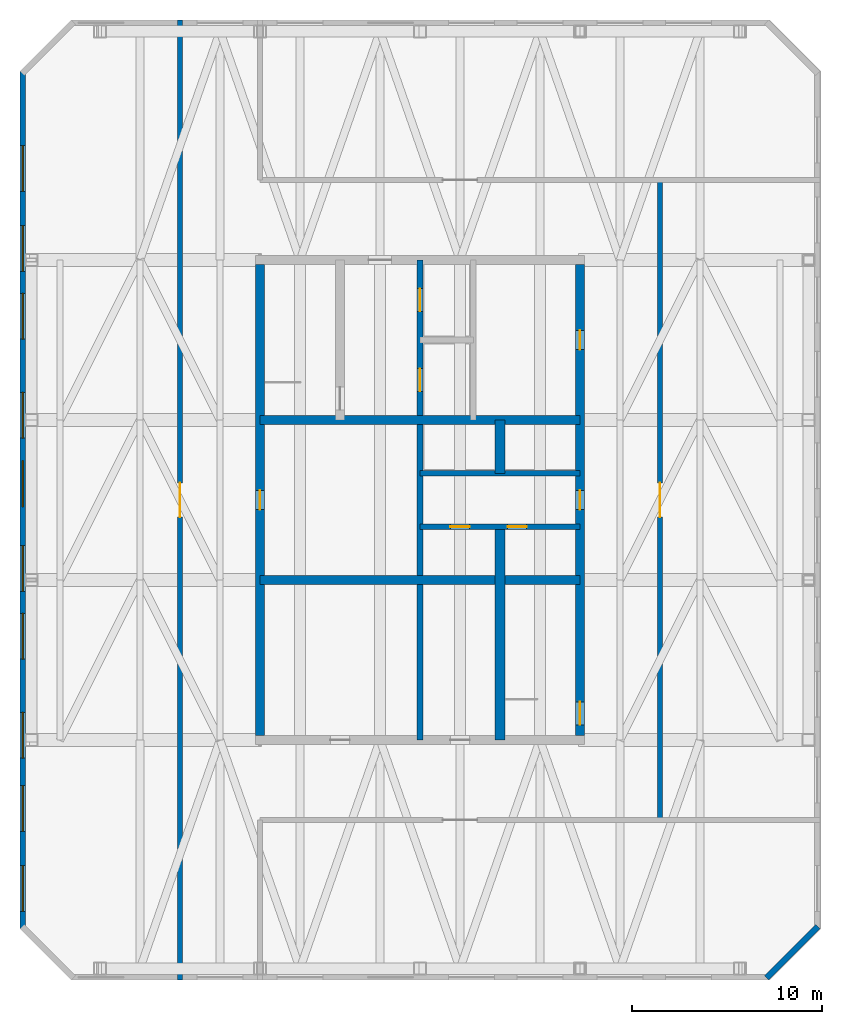
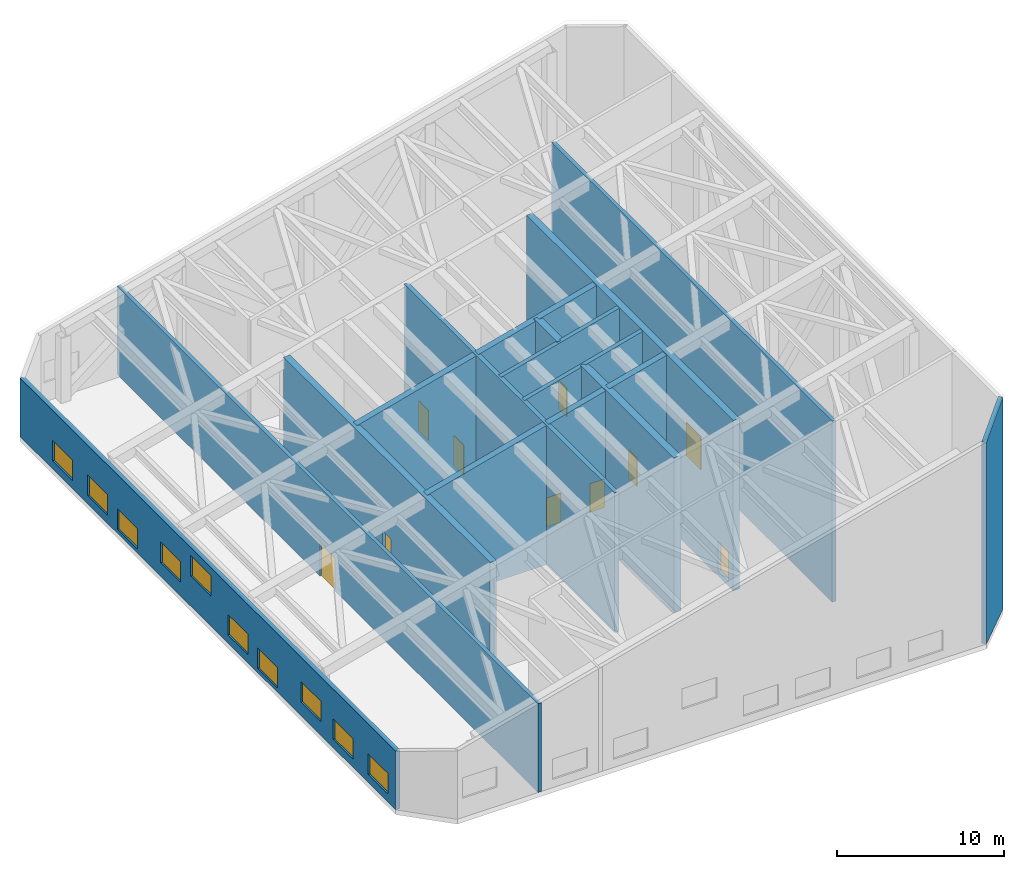
# One storey, part 3 of 5: 13 walls, 10 doors, 10 windows, 20 openings.
"""IFC4 building model written with IfcOpenShell, lengths in metres."""

import ifcopenshell
import ifcopenshell.guid

model = None  # the IFC model being written
_history = None  # IfcOwnerHistory: only IFC2X3 demands one
_inside = {}  # id of a spatial element -> (the spatial element, [elements in it])
_under = {}  # id of a project, library or spatial element -> (it, [spatial elements below it])
_declared = {}  # id of a project -> (the project, [libraries it declares])
_typed = {}  # id of a type object -> (the type object, [elements of that type])
_made_of = {}  # id of a material, layer set ... -> (it, [elements and type objects made of it])


def new_model(schema):
    """Start an empty IFC model of exactly this schema.

    Asked for "IFC4X3", IfcOpenShell would pick the latest addendum, in which some entities
    have other attributes; the version numbers below select the first issue.
    IFC2X3 requires an IfcOwnerHistory on every rooted entity: one is made here for all.
    """
    global model, _history
    if schema == "IFC4X3":
        model = ifcopenshell.file(schema_version=(4, 3, 0, 0))
    else:
        model = ifcopenshell.file(schema=schema)
    _inside.clear()
    _under.clear()
    _declared.clear()
    _typed.clear()
    _made_of.clear()
    _history = None
    if model.schema == "IFC2X3":
        org = make("IfcOrganization", Name="unknown")
        user = make(
            "IfcPersonAndOrganization",
            ThePerson=make("IfcPerson", FamilyName="unknown"),
            TheOrganization=org,
        )
        app = make(
            "IfcApplication",
            ApplicationDeveloper=org,
            Version="unknown",
            ApplicationFullName="unknown",
            ApplicationIdentifier="unknown",
        )
        _history = make(
            "IfcOwnerHistory",
            OwningUser=user,
            OwningApplication=app,
            ChangeAction="ADDED",
            CreationDate=0,
        )
    return model


def make(cls, **values):
    """One entity of the class cls with the attributes given. An attribute that is None is left unset."""
    return model.create_entity(
        cls, **{name: value for name, value in values.items() if value is not None}
    )


def rooted(cls, **values):
    """An entity with a GlobalId (a new one), such as an element, a storey or a relation."""
    return make(cls, GlobalId=ifcopenshell.guid.new(), OwnerHistory=_history, **values)


def si_unit(unit_type, name, prefix=None):
    """IfcSIUnit, for example si_unit("LENGTHUNIT", "METRE", prefix="MILLI")."""
    return make("IfcSIUnit", UnitType=unit_type, Prefix=prefix, Name=name)


def assignment(units):
    """IfcUnitAssignment: the units of a project."""
    return None if units is None else make("IfcUnitAssignment", Units=units)


def point(xyz):
    """IfcCartesianPoint."""
    return None if xyz is None else make("IfcCartesianPoint", Coordinates=xyz)


def direction(xyz):
    """IfcDirection."""
    return None if xyz is None else make("IfcDirection", DirectionRatios=xyz)


def frame(location, z_axis=None, x_axis=None):
    """IfcAxis2Placement3D, a coordinate frame: its origin and axes. An axis left out is left unset."""
    return make(
        "IfcAxis2Placement3D",
        Location=point(location),
        Axis=direction(z_axis),
        RefDirection=direction(x_axis),
    )


def frame_2d(location, x_axis=None):
    """IfcAxis2Placement2D, a coordinate frame in the plane: its origin and x axis."""
    return make(
        "IfcAxis2Placement2D", Location=point(location), RefDirection=direction(x_axis)
    )


def origin():
    """The frame at (0, 0, 0) with its axes left unset."""
    return frame((0.0, 0.0, 0.0))


def place(relative_to, where):
    """IfcLocalPlacement: puts the frame where relative to a parent placement (None: the world)."""
    return make(
        "IfcLocalPlacement", PlacementRelTo=relative_to, RelativePlacement=where
    )


def context(
    kind, dimensions, precision=None, world=None, true_north=None, identifier=None
):
    """IfcGeometricRepresentationContext, for example the 3D "Model" context."""
    return make(
        "IfcGeometricRepresentationContext",
        ContextIdentifier=identifier,
        ContextType=kind,
        CoordinateSpaceDimension=dimensions,
        Precision=precision,
        WorldCoordinateSystem=world,
        TrueNorth=true_north,
    )


def subcontext(parent, identifier, kind, view, scale=None):
    """IfcGeometricRepresentationSubContext, for example "Body" below "Model"."""
    return make(
        "IfcGeometricRepresentationSubContext",
        ContextIdentifier=identifier,
        ContextType=kind,
        ParentContext=parent,
        TargetScale=scale,
        TargetView=view,
    )


def project(units=None, contexts=None):
    """IfcProject with its units and contexts."""
    return rooted(
        "IfcProject",
        Name="project",
        RepresentationContexts=contexts,
        UnitsInContext=assignment(units),
    )


def spatial(cls, under=None, at=None, **own):
    """A site, building, storey or space (cls), placed at a placement, below another one or the project."""
    s = rooted(cls, ObjectPlacement=at, **own)
    if under is not None:
        _under.setdefault(under.id(), (under, []))[1].append(s)
    return s


def polyline(points):
    """IfcPolyline through the points."""
    return make("IfcPolyline", Points=[point(p) for p in points])


def profile(cls, at=None, kind="AREA", **sizes):
    """A parametric profile (cls). Its sizes go by their IFC names, for example OverallWidth=200.0."""
    return make(cls, ProfileType=kind, Position=at, **sizes)


def rectangle(**sizes):
    """IfcRectangleProfileDef."""
    return profile("IfcRectangleProfileDef", **sizes)


def outline(outer, holes=None, kind="AREA"):
    """IfcArbitraryClosedProfileDef: a profile drawn as a closed curve; with holes, ...WithVoids."""
    if holes is None:
        return make("IfcArbitraryClosedProfileDef", ProfileType=kind, OuterCurve=outer)
    return make(
        "IfcArbitraryProfileDefWithVoids",
        ProfileType=kind,
        OuterCurve=outer,
        InnerCurves=holes,
    )


def extrude(swept, where, along, depth):
    """IfcExtrudedAreaSolid: the profile swept, set in the frame where, extruded along a direction by depth."""
    return make(
        "IfcExtrudedAreaSolid",
        SweptArea=swept,
        Position=where,
        ExtrudedDirection=direction(along),
        Depth=depth,
    )


def shape(context_of_items, identifier, shape_type, items):
    """IfcShapeRepresentation: the items that make up one representation, for example the "Body"."""
    return make(
        "IfcShapeRepresentation",
        ContextOfItems=context_of_items,
        RepresentationIdentifier=identifier,
        RepresentationType=shape_type,
        Items=items,
    )


def material(Name=None, Category=None):
    """IfcMaterial."""
    return make("IfcMaterial", Name=Name, Category=Category)


def layer(
    of_material, thickness, ventilated=None, Name=None, Category=None, Priority=None
):
    """IfcMaterialLayer: one layer of a wall or slab, of a material (None: an air gap)."""
    return make(
        "IfcMaterialLayer",
        Material=of_material,
        LayerThickness=thickness,
        IsVentilated=ventilated,
        Name=Name,
        Category=Category,
        Priority=Priority,
    )


def layer_set(layers, Name=None):
    """IfcMaterialLayerSet."""
    return make("IfcMaterialLayerSet", MaterialLayers=layers, LayerSetName=Name)


def made_of(thing, what):
    """Note that an element or type object is made of a material, layer set ...; save() writes the relation."""
    if what is not None:
        _made_of.setdefault(what.id(), (what, []))[1].append(thing)
    return thing


def type_object(cls, material=None, **own):
    """A type object (cls), such as IfcWallType, which elements share."""
    return made_of(rooted(cls, **own), material)


def element(
    cls,
    number,
    at=None,
    inside=None,
    cuts=None,
    type_object=None,
    material=None,
    context=None,
    identifier="Body",
    shape_type=None,
    held_by="IfcProductDefinitionShape",
    body=None,
    shapes=None,
    **own,
):
    """One element of the class cls, such as IfcWall. Its Tag is "e" and its number.

    at: its placement. inside: the storey or other place that contains it. cuts: it is an
    opening in that element (IfcRelVoidsElement). A single representation is given by context,
    identifier, shape_type and body (its items); several are given by shapes. held_by: the class
    of the entity that holds the representations. save() writes the other relations.
    """
    e = rooted(cls, Tag="e%d" % number, ObjectPlacement=at, **own)
    if body is not None:
        shapes = [shape(context, identifier, shape_type, body)]
    if shapes is not None:
        e.Representation = make(held_by, Representations=shapes)
    if inside is not None:
        _inside.setdefault(inside.id(), (inside, []))[1].append(e)
    if cuts is not None:
        rooted(
            "IfcRelVoidsElement", RelatingBuildingElement=cuts, RelatedOpeningElement=e
        )
    if type_object is not None:
        _typed.setdefault(type_object.id(), (type_object, []))[1].append(e)
    return made_of(e, material)


def fill(opening, filler):
    """IfcRelFillsElement: the door or window that sits in an opening."""
    return rooted(
        "IfcRelFillsElement",
        RelatingOpeningElement=opening,
        RelatedBuildingElement=filler,
    )


def aggregate(whole, parts):
    """IfcRelAggregates: a whole, such as a stair, and the parts it consists of."""
    return rooted("IfcRelAggregates", RelatingObject=whole, RelatedObjects=parts)


def save(model, path):
    """Write the relations noted so far, then the file.

    IfcRelAggregates (storeys below a building ...), IfcRelContainedInSpatialStructure (elements
    in a storey), IfcRelDefinesByType, IfcRelAssociatesMaterial and IfcRelDeclares: one each for
    every whole, place, type object, material and project.
    """
    for whole, parts in _under.values():
        aggregate(whole, parts)
    for where, things in _inside.values():
        rooted(
            "IfcRelContainedInSpatialStructure",
            RelatedElements=things,
            RelatingStructure=where,
        )
    for kind, things in _typed.values():
        rooted("IfcRelDefinesByType", RelatedObjects=things, RelatingType=kind)
    for what, things in _made_of.values():
        rooted("IfcRelAssociatesMaterial", RelatedObjects=things, RelatingMaterial=what)
    for by, libraries in _declared.values():
        rooted("IfcRelDeclares", RelatingContext=by, RelatedDefinitions=libraries)
    model.write(path)


model = new_model("IFC4")

# Units and contexts
model_context = context("Model", 3, precision=1e-05, world=origin(), true_north=direction((0.0, 1.0)))
body_context = subcontext(model_context, "Body", "Model", "MODEL_VIEW")
ifc_project = project(units=[si_unit("LENGTHUNIT", "METRE"), si_unit("AREAUNIT", "SQUARE_METRE"), si_unit("VOLUMEUNIT", "CUBIC_METRE"), si_unit("PLANEANGLEUNIT", "RADIAN"), si_unit("MASSUNIT", "GRAM", prefix="KILO")], contexts=[model_context])

# Site, building, storey
site_placement = place(None, origin())
site = spatial("IfcSite", under=ifc_project, at=site_placement, CompositionType="ELEMENT")
building_placement = place(site_placement, origin())
building = spatial("IfcBuilding", under=site, at=building_placement, Name="Dunama Terrace Hotel", CompositionType="ELEMENT")
storey_placement = place(building_placement, frame((0.0, 0.0, 293.60009765625)))
storey = spatial("IfcBuildingStorey", under=building, at=storey_placement, Name="L75", CompositionType="ELEMENT", Elevation=293.60009765625)

# Wall, openings, doors
ifc_material_1 = material(Name="Concrete C50/60", Category="concrete")
ifc_layer_1 = layer(ifc_material_1, 0.300048828125)
ifc_layer_set_1 = layer_set([ifc_layer_1], Name="Core inner wall 300")
wall_type_1 = type_object("IfcWallType", Name="Core inner wall 300", PredefinedType="SHEAR", material=ifc_layer_set_1)
wall_1_placement = place(storey_placement, frame((33.60009765625, 16.800048828125, -0.35009765625), z_axis=(0.0, 0.0, 1.0), x_axis=(0.0, 1.0, 0.0)))
wall_1 = element("IfcWall", 1, at=wall_1_placement, inside=storey, type_object=wall_type_1, Name="Core inner wall 300 L75", PredefinedType="SHEAR", context=body_context, shape_type="SweptSolid", body=[
    extrude(outline(polyline([(0.0, 0.0), (25.199951171875, 0.0), (25.199951171875, 10.218017578125), (0.0, 10.218017578125), (0.0, 0.0)])), frame((0.0, 0.14990234375, 0.0), z_axis=(0.0, -1.0, 0.0), x_axis=(1.0, 0.0, 0.0)), (0.0, 0.0, 1.0), 0.300048828125),
])
opening_1_placement = place(wall_1_placement, frame((22.5, 0.0, 0.35009765625)))
opening_1 = element("IfcOpeningElement", 2, at=opening_1_placement, cuts=wall_1, Name="Opening L75-003", PredefinedType="OPENING", context=body_context, shape_type="SweptSolid", body=[
    extrude(rectangle(XDim=1.199951171875, YDim=2.199951171875, at=frame_2d((0.60009765625, 1.10009765625))), frame((0.0, 0.159912109375, 0.0), z_axis=(0.0, -1.0, 0.0), x_axis=(1.0, 0.0, 0.0)), (0.0, 0.0, 1.0), 0.320068359375),
])
opening_2_placement = place(wall_1_placement, frame((18.300048828125, 0.0, 0.35009765625)))
opening_2 = element("IfcOpeningElement", 3, at=opening_2_placement, cuts=wall_1, Name="Opening L75-004", PredefinedType="OPENING", context=body_context, shape_type="SweptSolid", body=[
    extrude(rectangle(XDim=1.199951171875, YDim=2.199951171875, at=frame_2d((0.60009765625, 1.10009765625))), frame((0.0, 0.159912109375, 0.0), z_axis=(0.0, -1.0, 0.0), x_axis=(1.0, 0.0, 0.0)), (0.0, 0.0, 1.0), 0.320068359375),
])
ifc_material_2 = material(Name="Stainless steel lift door", Category="steel")
door_type_1 = type_object("IfcDoorType", Name="Firefighting lift landing door 1200", OperationType="DOUBLE_DOOR_SLIDING", PredefinedType="DOOR", material=ifc_material_2)
door_1_placement = place(opening_1_placement, origin())
door_1 = element("IfcDoor", 4, at=door_1_placement, inside=storey, type_object=door_type_1, Name="Landing door FL1 L75-003, type LD2", OperationType="DOUBLE_DOOR_SLIDING", OverallHeight=2.199951171875, OverallWidth=1.199951171875, PredefinedType="DOOR", context=body_context, shape_type="SweptSolid", body=[
    extrude(rectangle(XDim=1.199951171875, YDim=2.199951171875, at=frame_2d((0.60009765625, 1.10009765625))), frame((0.0, 0.02490234375, 0.0), z_axis=(0.0, -1.0, 0.0), x_axis=(1.0, 0.0, 0.0)), (0.0, 0.0, 1.0), 0.050048828125),
])
fill(opening_1, door_1)
door_2_placement = place(opening_2_placement, origin())
door_2 = element("IfcDoor", 5, at=door_2_placement, inside=storey, type_object=door_type_1, Name="Landing door FL2 L75-004, type LD2", OperationType="DOUBLE_DOOR_SLIDING", OverallHeight=2.199951171875, OverallWidth=1.199951171875, PredefinedType="DOOR", context=body_context, shape_type="SweptSolid", body=[
    extrude(rectangle(XDim=1.199951171875, YDim=2.199951171875, at=frame_2d((0.60009765625, 1.10009765625))), frame((0.0, 0.02490234375, 0.0), z_axis=(0.0, -1.0, 0.0), x_axis=(1.0, 0.0, 0.0)), (0.0, 0.0, 1.0), 0.050048828125),
])
fill(opening_2, door_2)

wall_2_placement = place(storey_placement, frame((33.60009765625, 28.0, -0.35009765625), z_axis=(0.0, 0.0, 1.0), x_axis=(1.0, 0.0, 0.0)))
wall_2 = element("IfcWall", 6, at=wall_2_placement, inside=storey, type_object=wall_type_1, Name="Core inner wall 300 L75", PredefinedType="SHEAR", context=body_context, shape_type="SweptSolid", body=[
    extrude(outline(polyline([(0.0, 0.0), (8.39990234375, 0.0), (8.39990234375, 12.468994140625), (0.0, 10.218017578125), (0.0, 0.0)])), frame((0.0, 0.14990234375, 0.0), z_axis=(0.0, -1.0, 0.0), x_axis=(1.0, 0.0, 0.0)), (0.0, 0.0, 1.0), 0.300048828125),
])
opening_3_placement = place(wall_2_placement, frame((1.60009765625, 0.0, 0.35009765625)))
opening_3 = element("IfcOpeningElement", 7, at=opening_3_placement, cuts=wall_2, Name="Opening L75-006", PredefinedType="OPENING", context=body_context, shape_type="SweptSolid", body=[
    extrude(rectangle(XDim=1.0, YDim=2.10009765625, at=frame_2d((0.5, 1.050048828125))), frame((0.0, 0.159912109375, 0.0), z_axis=(0.0, -1.0, 0.0), x_axis=(1.0, 0.0, 0.0)), (0.0, 0.0, 1.0), 0.320068359375),
])
opening_4_placement = place(wall_2_placement, frame((4.60009765625, 0.0, 0.35009765625)))
opening_4 = element("IfcOpeningElement", 8, at=opening_4_placement, cuts=wall_2, Name="Opening L75-007", PredefinedType="OPENING", context=body_context, shape_type="SweptSolid", body=[
    extrude(rectangle(XDim=1.0, YDim=2.10009765625, at=frame_2d((0.5, 1.050048828125))), frame((0.0, 0.159912109375, 0.0), z_axis=(0.0, -1.0, 0.0), x_axis=(1.0, 0.0, 0.0)), (0.0, 0.0, 1.0), 0.320068359375),
])
ifc_material_3 = material(Name="Timber door with steel frame", Category="steel")
door_type_2 = type_object("IfcDoorType", Name="Service door 1000", OperationType="SINGLE_SWING_LEFT", PredefinedType="DOOR", material=ifc_material_3)
door_3_placement = place(opening_3_placement, frame((1.0, 0.0, 0.0), z_axis=(0.0, 0.0, 1.0), x_axis=(-1.0, 0.0, 0.0)))
door_3 = element("IfcDoor", 9, at=door_3_placement, inside=storey, type_object=door_type_2, Name="Door to service riser L75-006, type D7", OperationType="SINGLE_SWING_LEFT", OverallHeight=2.10009765625, OverallWidth=1.0, PredefinedType="DOOR", context=body_context, shape_type="SweptSolid", body=[
    extrude(rectangle(XDim=1.0, YDim=2.10009765625, at=frame_2d((0.5, 1.050048828125))), frame((0.0, 0.025146484375, 0.0), z_axis=(0.0, -1.0, 0.0), x_axis=(1.0, 0.0, 0.0)), (0.0, 0.0, 1.0), 0.050048828125),
])
fill(opening_3, door_3)
door_4_placement = place(opening_4_placement, frame((1.0, 0.0, 0.0), z_axis=(0.0, 0.0, 1.0), x_axis=(-1.0, 0.0, 0.0)))
door_4 = element("IfcDoor", 10, at=door_4_placement, inside=storey, type_object=door_type_2, Name="Door to engineering spares store L75-007, type D7", OperationType="SINGLE_SWING_RIGHT", OverallHeight=2.10009765625, OverallWidth=1.0, PredefinedType="DOOR", context=body_context, shape_type="SweptSolid", body=[
    extrude(rectangle(XDim=1.0, YDim=2.10009765625, at=frame_2d((0.5, 1.050048828125))), frame((0.0, 0.025146484375, 0.0), z_axis=(0.0, -1.0, 0.0), x_axis=(1.0, 0.0, 0.0)), (0.0, 0.0, 1.0), 0.050048828125),
])
fill(opening_4, door_4)

# Walls
wall_3_placement = place(storey_placement, frame((33.60009765625, 30.800048828125, -0.35009765625), z_axis=(0.0, 0.0, 1.0), x_axis=(1.0, 0.0, 0.0)))
element("IfcWall", 11, at=wall_3_placement, inside=storey, type_object=wall_type_1, Name="Core inner wall 300 L75", PredefinedType="SHEAR", context=body_context, shape_type="SweptSolid", body=[
    extrude(outline(polyline([(0.0, 0.0), (8.39990234375, 0.0), (8.39990234375, 12.468994140625), (0.0, 10.218017578125), (0.0, 0.0)])), frame((0.0, 0.14990234375, 0.0), z_axis=(0.0, -1.0, 0.0), x_axis=(1.0, 0.0, 0.0)), (0.0, 0.0, 1.0), 0.300048828125),
])
ifc_material_4 = material(Name="Concrete C50/60", Category="concrete")
ifc_layer_2 = layer(ifc_material_4, 0.449951171875)
ifc_layer_set_2 = layer_set([ifc_layer_2], Name="Core inner wall 450")
wall_type_2 = type_object("IfcWallType", Name="Core inner wall 450", PredefinedType="SHEAR", material=ifc_layer_set_2)
for number, where, z_axis, x_axis, name in (
    (12, (25.199951171875, 25.199951171875, -0.35009765625), (0.0, 0.0, 1.0), (1.0, 0.0, 0.0), "Core inner wall 450 L75"),
    (13, (25.199951171875, 33.60009765625, -0.35009765625), (0.0, 0.0, 1.0), (1.0, 0.0, 0.0), "Core inner wall 450 L75"),
):
    element("IfcWall", number, at=place(storey_placement, frame(where, z_axis=z_axis, x_axis=x_axis)), inside=storey, type_object=wall_type_2, Name=name, PredefinedType="SHEAR", context=body_context, shape_type="SweptSolid", body=[
        extrude(outline(polyline([(0.0, 0.0), (16.800048828125, 0.0), (16.800048828125, 12.468994140625), (0.0, 7.96728515625), (0.0, 0.0)])), frame((0.0, 0.22509765625, 0.0), z_axis=(0.0, -1.0, 0.0), x_axis=(1.0, 0.0, 0.0)), (0.0, 0.0, 1.0), 0.449951171875),
    ])
ifc_material_5 = material(Name="Concrete C50/60", Category="concrete")
ifc_layer_3 = layer(ifc_material_5, 0.5)
ifc_layer_set_3 = layer_set([ifc_layer_3], Name="Core inner wall 500")
wall_type_3 = type_object("IfcWallType", Name="Core inner wall 500", PredefinedType="SHEAR", material=ifc_layer_set_3)
wall_4_placement = place(storey_placement, frame((37.800048828125, 16.800048828125, -0.35009765625), z_axis=(0.0, 0.0, 1.0), x_axis=(0.0, 1.0, 0.0)))
element("IfcWall", 14, at=wall_4_placement, inside=storey, type_object=wall_type_3, Name="Core inner wall 500 L75", PredefinedType="SHEAR", context=body_context, shape_type="SweptSolid", body=[
    extrude(outline(polyline([(0.0, 0.0), (11.199951171875, 0.0), (11.199951171875, 11.343505859375), (0.0, 11.343505859375), (0.0, 0.0)])), frame((0.0, 0.25, 0.0), z_axis=(0.0, -1.0, 0.0), x_axis=(1.0, 0.0, 0.0)), (0.0, 0.0, 1.0), 0.5),
])
wall_5_placement = place(storey_placement, frame((37.800048828125, 30.800048828125, -0.35009765625), z_axis=(0.0, 0.0, 1.0), x_axis=(0.0, 1.0, 0.0)))
element("IfcWall", 15, at=wall_5_placement, inside=storey, type_object=wall_type_3, Name="Core inner wall 500 L75", PredefinedType="SHEAR", context=body_context, shape_type="SweptSolid", body=[
    extrude(outline(polyline([(0.0, 0.0), (2.800048828125, 0.0), (2.800048828125, 11.343505859375), (0.0, 11.343505859375), (0.0, 0.0)])), frame((0.0, 0.25, 0.0), z_axis=(0.0, -1.0, 0.0), x_axis=(1.0, 0.0, 0.0)), (0.0, 0.0, 1.0), 0.5),
])

# Wall, openings, doors
ifc_material_6 = material(Name="Concrete C50/60", Category="concrete")
ifc_layer_4 = layer(ifc_material_6, 0.449951171875)
ifc_layer_set_4 = layer_set([ifc_layer_4], Name="Core wall 450")
wall_type_4 = type_object("IfcWallType", Name="Core wall 450", PredefinedType="SHEAR", material=ifc_layer_set_4)
wall_6_placement = place(storey_placement, frame((42.0, 17.02490234375, -0.35009765625), z_axis=(0.0, 0.0, 1.0), x_axis=(0.0, 1.0, 0.0)))
wall_6 = element("IfcWall", 16, at=wall_6_placement, inside=storey, type_object=wall_type_4, Name="Core wall east L75", PredefinedType="SHEAR", context=body_context, shape_type="SweptSolid", body=[
    extrude(outline(polyline([(0.0, 0.0), (24.75, 0.0), (24.75, 12.468994140625), (0.0, 12.468994140625), (0.0, 0.0)])), frame((0.0, 0.22509765625, 0.0), z_axis=(0.0, -1.0, 0.0), x_axis=(1.0, 0.0, 0.0)), (0.0, 0.0, 1.0), 0.449951171875),
])
opening_5_placement = place(wall_6_placement, frame((0.574951171875, 0.0, 0.35009765625)))
opening_5 = element("IfcOpeningElement", 17, at=opening_5_placement, cuts=wall_6, Name="Opening L75-002", PredefinedType="OPENING", context=body_context, shape_type="SweptSolid", body=[
    extrude(rectangle(XDim=1.199951171875, YDim=2.199951171875, at=frame_2d((0.60009765625, 1.10009765625))), frame((0.0, 0.23486328125, 0.0), z_axis=(0.0, -1.0, 0.0), x_axis=(1.0, 0.0, 0.0)), (0.0, 0.0, 1.0), 0.469970703125),
])
opening_6_placement = place(wall_6_placement, frame((11.875, 0.0, 0.35009765625)))
opening_6 = element("IfcOpeningElement", 18, at=opening_6_placement, cuts=wall_6, Name="Opening L75-008", PredefinedType="OPENING", context=body_context, shape_type="SweptSolid", body=[
    extrude(rectangle(XDim=1.0, YDim=2.10009765625, at=frame_2d((0.5, 1.050048828125))), frame((0.0, 0.23486328125, 0.0), z_axis=(0.0, -1.0, 0.0), x_axis=(1.0, 0.0, 0.0)), (0.0, 0.0, 1.0), 0.469970703125),
])
opening_7_placement = place(wall_6_placement, frame((20.27490234375, 0.0, 0.35009765625)))
opening_7 = element("IfcOpeningElement", 19, at=opening_7_placement, cuts=wall_6, Name="Opening L75-010", PredefinedType="OPENING", context=body_context, shape_type="SweptSolid", body=[
    extrude(rectangle(XDim=1.0, YDim=2.10009765625, at=frame_2d((0.5, 1.050048828125))), frame((0.0, 0.23486328125, 0.0), z_axis=(0.0, -1.0, 0.0), x_axis=(1.0, 0.0, 0.0)), (0.0, 0.0, 1.0), 0.469970703125),
])
door_5_placement = place(opening_6_placement, origin())
door_5 = element("IfcDoor", 20, at=door_5_placement, inside=storey, type_object=door_type_2, Name="Door to service lobby L75-008, type D7", OperationType="SINGLE_SWING_LEFT", OverallHeight=2.10009765625, OverallWidth=1.0, PredefinedType="DOOR", context=body_context, shape_type="SweptSolid", body=[
    extrude(rectangle(XDim=1.0, YDim=2.10009765625, at=frame_2d((0.5, 1.050048828125))), frame((0.0, 0.02490234375, 0.0), z_axis=(0.0, -1.0, 0.0), x_axis=(1.0, 0.0, 0.0)), (0.0, 0.0, 1.0), 0.050048828125),
])
fill(opening_6, door_5)
door_6_placement = place(opening_7_placement, origin())
door_6 = element("IfcDoor", 21, at=door_6_placement, inside=storey, type_object=door_type_2, Name="Door to engineering store L75-010, type D7", OperationType="SINGLE_SWING_LEFT", OverallHeight=2.10009765625, OverallWidth=1.0, PredefinedType="DOOR", context=body_context, shape_type="SweptSolid", body=[
    extrude(rectangle(XDim=1.0, YDim=2.10009765625, at=frame_2d((0.5, 1.050048828125))), frame((0.0, 0.02490234375, 0.0), z_axis=(0.0, -1.0, 0.0), x_axis=(1.0, 0.0, 0.0)), (0.0, 0.0, 1.0), 0.050048828125),
])
fill(opening_7, door_6)
ifc_material_7 = material(Name="Timber door with steel frame", Category="steel")
door_type_3 = type_object("IfcDoorType", Name="Stair door 1200", OperationType="SINGLE_SWING_LEFT", PredefinedType="DOOR", material=ifc_material_7)
door_7_placement = place(opening_5_placement, origin())
door_7 = element("IfcDoor", 22, at=door_7_placement, inside=storey, type_object=door_type_3, Name="Stair door ST2 L75-002, type D5", OperationType="SINGLE_SWING_LEFT", OverallHeight=2.199951171875, OverallWidth=1.199951171875, PredefinedType="DOOR", context=body_context, shape_type="SweptSolid", body=[
    extrude(rectangle(XDim=1.199951171875, YDim=2.199951171875, at=frame_2d((0.60009765625, 1.10009765625))), frame((0.0, 0.02490234375, 0.0), z_axis=(0.0, -1.0, 0.0), x_axis=(1.0, 0.0, 0.0)), (0.0, 0.0, 1.0), 0.050048828125),
])
fill(opening_5, door_7)

# Wall, opening, door
wall_7_placement = place(storey_placement, frame((25.199951171875, 41.77490234375, -0.35009765625), z_axis=(0.0, 0.0, 1.0), x_axis=(0.0, -1.0, 0.0)))
wall_7 = element("IfcWall", 23, at=wall_7_placement, inside=storey, type_object=wall_type_4, Name="Core wall west L75", PredefinedType="SHEAR", context=body_context, shape_type="SweptSolid", body=[
    extrude(outline(polyline([(0.0, 0.0), (24.75, 0.0), (24.75, 7.96728515625), (0.0, 7.96728515625), (0.0, 0.0)])), frame((0.0, 0.22509765625, 0.0), z_axis=(0.0, -1.0, 0.0), x_axis=(1.0, 0.0, 0.0)), (0.0, 0.0, 1.0), 0.449951171875),
])
opening_8_placement = place(wall_7_placement, frame((11.875, 0.0, 0.35009765625)))
opening_8 = element("IfcOpeningElement", 24, at=opening_8_placement, cuts=wall_7, Name="Opening L75-005", PredefinedType="OPENING", context=body_context, shape_type="SweptSolid", body=[
    extrude(rectangle(XDim=1.0, YDim=2.10009765625, at=frame_2d((0.5, 1.050048828125))), frame((0.0, 0.23486328125, 0.0), z_axis=(0.0, -1.0, 0.0), x_axis=(1.0, 0.0, 0.0)), (0.0, 0.0, 1.0), 0.469970703125),
])
door_8_placement = place(opening_8_placement, origin())
door_8 = element("IfcDoor", 25, at=door_8_placement, inside=storey, type_object=door_type_2, Name="Door to riser room L75-005, type D7", OperationType="SINGLE_SWING_RIGHT", OverallHeight=2.10009765625, OverallWidth=1.0, PredefinedType="DOOR", context=body_context, shape_type="SweptSolid", body=[
    extrude(rectangle(XDim=1.0, YDim=2.10009765625, at=frame_2d((0.5, 1.050048828125))), frame((0.0, 0.02490234375, 0.0), z_axis=(0.0, -1.0, 0.0), x_axis=(1.0, 0.0, 0.0)), (0.0, 0.0, 1.0), 0.050048828125),
])
fill(opening_8, door_8)

# Wall
ifc_material_8 = material(Name="Granite-faced concrete blockwork", Category="masonry")
ifc_layer_5 = layer(ifc_material_8, 0.300048828125)
ifc_layer_set_5 = layer_set([ifc_layer_5], Name="Crown screen wall 300")
wall_type_5 = type_object("IfcWallType", Name="Crown screen wall 300", PredefinedType="SOLIDWALL", material=ifc_layer_set_5)
wall_8_placement = place(storey_placement, frame((51.7939453125, 4.305908203125, 0.0), z_axis=(0.0, 0.0, 1.0), x_axis=(0.707074812166, 0.707138748762, 0.0)))
element("IfcWall", 26, at=wall_8_placement, inside=storey, type_object=wall_type_5, Name="Crown screen wall 300 L75", PredefinedType="SOLIDWALL", context=body_context, shape_type="SweptSolid", body=[
    extrude(outline(polyline([(0.0, 0.0), (3.818359375, 0.0), (3.818359375, 15.466552734375), (0.0, 14.7431640625), (0.0, 0.0)])), frame((0.0, 0.14990234375, 0.0), z_axis=(0.0, -1.0, 0.0), x_axis=(1.0, 0.0, 0.0)), (0.0, 0.0, 1.0), 0.300048828125),
])

# Wall, openings, windows
wall_9_placement = place(storey_placement, frame((12.75, 51.89990234375, 0.0), z_axis=(0.0, 0.0, 1.0), x_axis=(0.0, -1.0, 0.0)))
wall_9 = element("IfcWall", 27, at=wall_9_placement, inside=storey, type_object=wall_type_5, Name="Crown screen wall 300 L75", PredefinedType="SOLIDWALL", context=body_context, shape_type="SweptSolid", body=[
    extrude(outline(polyline([(0.0, 0.0), (45.0, 0.0), (45.0, 4.28125), (0.0, 4.28125), (0.0, 0.0)])), frame((0.0, 0.14990234375, 0.0), z_axis=(0.0, -1.0, 0.0), x_axis=(1.0, 0.0, 0.0)), (0.0, 0.0, 1.0), 0.300048828125),
])
opening_9_placement = place(wall_9_placement, frame((41.699951171875, 0.0, 0.60009765625)))
opening_9 = element("IfcOpeningElement", 28, at=opening_9_placement, cuts=wall_9, Name="Opening W3", PredefinedType="OPENING", context=body_context, shape_type="SweptSolid", body=[
    extrude(rectangle(XDim=2.39990234375, YDim=1.5, at=frame_2d((1.199951171875, 0.75))), frame((0.0, 0.159912109375, 0.0), z_axis=(0.0, -1.0, 0.0), x_axis=(1.0, 0.0, 0.0)), (0.0, 0.0, 1.0), 0.320068359375),
])
opening_10_placement = place(wall_9_placement, frame((37.5, 0.0, 0.60009765625)))
opening_10 = element("IfcOpeningElement", 29, at=opening_10_placement, cuts=wall_9, Name="Opening W3", PredefinedType="OPENING", context=body_context, shape_type="SweptSolid", body=[
    extrude(rectangle(XDim=2.39990234375, YDim=1.5, at=frame_2d((1.199951171875, 0.75))), frame((0.0, 0.159912109375, 0.0), z_axis=(0.0, -1.0, 0.0), x_axis=(1.0, 0.0, 0.0)), (0.0, 0.0, 1.0), 0.320068359375),
])
opening_11_placement = place(wall_9_placement, frame((33.64990234375, 0.0, 1.0)))
opening_11 = element("IfcOpeningElement", 30, at=opening_11_placement, cuts=wall_9, Name="Opening W3", PredefinedType="OPENING", context=body_context, shape_type="SweptSolid", body=[
    extrude(rectangle(XDim=2.39990234375, YDim=1.5, at=frame_2d((1.199951171875, 0.75))), frame((0.0, 0.159912109375, 0.0), z_axis=(0.0, -1.0, 0.0), x_axis=(1.0, 0.0, 0.0)), (0.0, 0.0, 1.0), 0.320068359375),
])
opening_12_placement = place(wall_9_placement, frame((28.449951171875, 0.0, 0.300048828125)))
opening_12 = element("IfcOpeningElement", 31, at=opening_12_placement, cuts=wall_9, Name="Opening W3", PredefinedType="OPENING", context=body_context, shape_type="SweptSolid", body=[
    extrude(rectangle(XDim=2.39990234375, YDim=1.5, at=frame_2d((1.199951171875, 0.75))), frame((0.0, 0.159912109375, 0.0), z_axis=(0.0, -1.0, 0.0), x_axis=(1.0, 0.0, 0.0)), (0.0, 0.0, 1.0), 0.320068359375),
])
opening_13_placement = place(wall_9_placement, frame((24.89990234375, 0.0, 0.60009765625)))
opening_13 = element("IfcOpeningElement", 32, at=opening_13_placement, cuts=wall_9, Name="Opening W3", PredefinedType="OPENING", context=body_context, shape_type="SweptSolid", body=[
    extrude(rectangle(XDim=2.39990234375, YDim=1.5, at=frame_2d((1.199951171875, 0.75))), frame((0.0, 0.159912109375, 0.0), z_axis=(0.0, -1.0, 0.0), x_axis=(1.0, 0.0, 0.0)), (0.0, 0.0, 1.0), 0.320068359375),
])
opening_14_placement = place(wall_9_placement, frame((20.449951171875, 0.0, 2.199951171875)))
opening_14 = element("IfcOpeningElement", 33, at=opening_14_placement, cuts=wall_9, Name="Opening W3", PredefinedType="OPENING", context=body_context, shape_type="SweptSolid", body=[
    extrude(rectangle(XDim=2.39990234375, YDim=1.5, at=frame_2d((1.199951171875, 0.75))), frame((0.0, 0.159912109375, 0.0), z_axis=(0.0, -1.0, 0.0), x_axis=(1.0, 0.0, 0.0)), (0.0, 0.0, 1.0), 0.320068359375),
])
opening_15_placement = place(wall_9_placement, frame((16.85009765625, 0.0, 1.0)))
opening_15 = element("IfcOpeningElement", 34, at=opening_15_placement, cuts=wall_9, Name="Opening W3", PredefinedType="OPENING", context=body_context, shape_type="SweptSolid", body=[
    extrude(rectangle(XDim=2.39990234375, YDim=1.5, at=frame_2d((1.199951171875, 0.75))), frame((0.0, 0.159912109375, 0.0), z_axis=(0.0, -1.0, 0.0), x_axis=(1.0, 0.0, 0.0)), (0.0, 0.0, 1.0), 0.320068359375),
])
opening_16_placement = place(wall_9_placement, frame((11.64990234375, 0.0, 0.300048828125)))
opening_16 = element("IfcOpeningElement", 35, at=opening_16_placement, cuts=wall_9, Name="Opening W3", PredefinedType="OPENING", context=body_context, shape_type="SweptSolid", body=[
    extrude(rectangle(XDim=2.39990234375, YDim=1.5, at=frame_2d((1.199951171875, 0.75))), frame((0.0, 0.159912109375, 0.0), z_axis=(0.0, -1.0, 0.0), x_axis=(1.0, 0.0, 0.0)), (0.0, 0.0, 1.0), 0.320068359375),
])
opening_17_placement = place(wall_9_placement, frame((8.10009765625, 0.0, 0.60009765625)))
opening_17 = element("IfcOpeningElement", 36, at=opening_17_placement, cuts=wall_9, Name="Opening W3", PredefinedType="OPENING", context=body_context, shape_type="SweptSolid", body=[
    extrude(rectangle(XDim=2.39990234375, YDim=1.5, at=frame_2d((1.199951171875, 0.75))), frame((0.0, 0.159912109375, 0.0), z_axis=(0.0, -1.0, 0.0), x_axis=(1.0, 0.0, 0.0)), (0.0, 0.0, 1.0), 0.320068359375),
])
opening_18_placement = place(wall_9_placement, frame((3.89990234375, 0.0, 0.60009765625)))
opening_18 = element("IfcOpeningElement", 37, at=opening_18_placement, cuts=wall_9, Name="Opening W3", PredefinedType="OPENING", context=body_context, shape_type="SweptSolid", body=[
    extrude(rectangle(XDim=2.39990234375, YDim=1.5, at=frame_2d((1.199951171875, 0.75))), frame((0.0, 0.159912109375, 0.0), z_axis=(0.0, -1.0, 0.0), x_axis=(1.0, 0.0, 0.0)), (0.0, 0.0, 1.0), 0.320068359375),
])
ifc_material_9 = material(Name="Aluminium louvre blades in a steel frame", Category="steel")
window_type = type_object("IfcWindowType", Name="Crown louvre 2400", PartitioningType="SINGLE_PANEL", PredefinedType="WINDOW", material=ifc_material_9)
window_1_placement = place(opening_9_placement, origin())
window_1 = element("IfcWindow", 38, at=window_1_placement, inside=storey, type_object=window_type, Name="Crown louvre 2400 L75", OverallHeight=1.5, OverallWidth=2.39990234375, PartitioningType="SINGLE_PANEL", PredefinedType="WINDOW", context=body_context, shape_type="SweptSolid", body=[
    extrude(rectangle(XDim=2.39990234375, YDim=1.5, at=frame_2d((1.199951171875, 0.75))), frame((0.0, 0.030029296875, 0.0), z_axis=(0.0, -1.0, 0.0), x_axis=(1.0, 0.0, 0.0)), (0.0, 0.0, 1.0), 0.06005859375),
])
fill(opening_9, window_1)
window_2_placement = place(opening_10_placement, origin())
window_2 = element("IfcWindow", 39, at=window_2_placement, inside=storey, type_object=window_type, Name="Crown louvre 2400 L75", OverallHeight=1.5, OverallWidth=2.39990234375, PartitioningType="SINGLE_PANEL", PredefinedType="WINDOW", context=body_context, shape_type="SweptSolid", body=[
    extrude(rectangle(XDim=2.39990234375, YDim=1.5, at=frame_2d((1.199951171875, 0.75))), frame((0.0, 0.030029296875, 0.0), z_axis=(0.0, -1.0, 0.0), x_axis=(1.0, 0.0, 0.0)), (0.0, 0.0, 1.0), 0.06005859375),
])
fill(opening_10, window_2)
window_3_placement = place(opening_11_placement, origin())
window_3 = element("IfcWindow", 40, at=window_3_placement, inside=storey, type_object=window_type, Name="Crown louvre 2400 L75", OverallHeight=1.5, OverallWidth=2.39990234375, PartitioningType="SINGLE_PANEL", PredefinedType="WINDOW", context=body_context, shape_type="SweptSolid", body=[
    extrude(rectangle(XDim=2.39990234375, YDim=1.5, at=frame_2d((1.199951171875, 0.75))), frame((0.0, 0.030029296875, 0.0), z_axis=(0.0, -1.0, 0.0), x_axis=(1.0, 0.0, 0.0)), (0.0, 0.0, 1.0), 0.06005859375),
])
fill(opening_11, window_3)
window_4_placement = place(opening_12_placement, origin())
window_4 = element("IfcWindow", 41, at=window_4_placement, inside=storey, type_object=window_type, Name="Crown louvre 2400 L75", OverallHeight=1.5, OverallWidth=2.39990234375, PartitioningType="SINGLE_PANEL", PredefinedType="WINDOW", context=body_context, shape_type="SweptSolid", body=[
    extrude(rectangle(XDim=2.39990234375, YDim=1.5, at=frame_2d((1.199951171875, 0.75))), frame((0.0, 0.030029296875, 0.0), z_axis=(0.0, -1.0, 0.0), x_axis=(1.0, 0.0, 0.0)), (0.0, 0.0, 1.0), 0.06005859375),
])
fill(opening_12, window_4)
window_5_placement = place(opening_13_placement, origin())
window_5 = element("IfcWindow", 42, at=window_5_placement, inside=storey, type_object=window_type, Name="Crown louvre 2400 L75", OverallHeight=1.5, OverallWidth=2.39990234375, PartitioningType="SINGLE_PANEL", PredefinedType="WINDOW", context=body_context, shape_type="SweptSolid", body=[
    extrude(rectangle(XDim=2.39990234375, YDim=1.5, at=frame_2d((1.199951171875, 0.75))), frame((0.0, 0.030029296875, 0.0), z_axis=(0.0, -1.0, 0.0), x_axis=(1.0, 0.0, 0.0)), (0.0, 0.0, 1.0), 0.06005859375),
])
fill(opening_13, window_5)
window_6_placement = place(opening_14_placement, origin())
window_6 = element("IfcWindow", 43, at=window_6_placement, inside=storey, type_object=window_type, Name="Crown louvre 2400 L75", OverallHeight=1.5, OverallWidth=2.39990234375, PartitioningType="SINGLE_PANEL", PredefinedType="WINDOW", context=body_context, shape_type="SweptSolid", body=[
    extrude(rectangle(XDim=2.39990234375, YDim=1.5, at=frame_2d((1.199951171875, 0.75))), frame((0.0, 0.030029296875, 0.0), z_axis=(0.0, -1.0, 0.0), x_axis=(1.0, 0.0, 0.0)), (0.0, 0.0, 1.0), 0.06005859375),
])
fill(opening_14, window_6)
window_7_placement = place(opening_15_placement, origin())
window_7 = element("IfcWindow", 44, at=window_7_placement, inside=storey, type_object=window_type, Name="Crown louvre 2400 L75", OverallHeight=1.5, OverallWidth=2.39990234375, PartitioningType="SINGLE_PANEL", PredefinedType="WINDOW", context=body_context, shape_type="SweptSolid", body=[
    extrude(rectangle(XDim=2.39990234375, YDim=1.5, at=frame_2d((1.199951171875, 0.75))), frame((0.0, 0.030029296875, 0.0), z_axis=(0.0, -1.0, 0.0), x_axis=(1.0, 0.0, 0.0)), (0.0, 0.0, 1.0), 0.06005859375),
])
fill(opening_15, window_7)
window_8_placement = place(opening_16_placement, origin())
window_8 = element("IfcWindow", 45, at=window_8_placement, inside=storey, type_object=window_type, Name="Crown louvre 2400 L75", OverallHeight=1.5, OverallWidth=2.39990234375, PartitioningType="SINGLE_PANEL", PredefinedType="WINDOW", context=body_context, shape_type="SweptSolid", body=[
    extrude(rectangle(XDim=2.39990234375, YDim=1.5, at=frame_2d((1.199951171875, 0.75))), frame((0.0, 0.030029296875, 0.0), z_axis=(0.0, -1.0, 0.0), x_axis=(1.0, 0.0, 0.0)), (0.0, 0.0, 1.0), 0.06005859375),
])
fill(opening_16, window_8)
window_9_placement = place(opening_17_placement, origin())
window_9 = element("IfcWindow", 46, at=window_9_placement, inside=storey, type_object=window_type, Name="Crown louvre 2400 L75", OverallHeight=1.5, OverallWidth=2.39990234375, PartitioningType="SINGLE_PANEL", PredefinedType="WINDOW", context=body_context, shape_type="SweptSolid", body=[
    extrude(rectangle(XDim=2.39990234375, YDim=1.5, at=frame_2d((1.199951171875, 0.75))), frame((0.0, 0.030029296875, 0.0), z_axis=(0.0, -1.0, 0.0), x_axis=(1.0, 0.0, 0.0)), (0.0, 0.0, 1.0), 0.06005859375),
])
fill(opening_17, window_9)
window_10_placement = place(opening_18_placement, origin())
window_10 = element("IfcWindow", 47, at=window_10_placement, inside=storey, type_object=window_type, Name="Crown louvre 2400 L75", OverallHeight=1.5, OverallWidth=2.39990234375, PartitioningType="SINGLE_PANEL", PredefinedType="WINDOW", context=body_context, shape_type="SweptSolid", body=[
    extrude(rectangle(XDim=2.39990234375, YDim=1.5, at=frame_2d((1.199951171875, 0.75))), frame((0.0, 0.030029296875, 0.0), z_axis=(0.0, -1.0, 0.0), x_axis=(1.0, 0.0, 0.0)), (0.0, 0.0, 1.0), 0.06005859375),
])
fill(opening_18, window_10)

# Wall, opening, door
ifc_material_10 = material(Name="Concrete blockwork", Category="masonry")
ifc_layer_6 = layer(ifc_material_10, 0.25)
ifc_layer_set_6 = layer_set([ifc_layer_6], Name="Plant room wall 250")
wall_type_6 = type_object("IfcWallType", Name="Plant room wall 250", PredefinedType="PARTITIONING", material=ifc_layer_set_6)
wall_10_placement = place(storey_placement, frame((21.0, 4.199951171875, 0.0), z_axis=(0.0, 0.0, 1.0), x_axis=(0.0, 1.0, 0.0)))
wall_10 = element("IfcWall", 48, at=wall_10_placement, inside=storey, type_object=wall_type_6, Name="Plant room wall 250 L75", PredefinedType="PARTITIONING", context=body_context, shape_type="SweptSolid", body=[
    extrude(outline(polyline([(0.0, 0.0), (50.400146484375, 0.0), (50.39990234375, 6.491943359375), (0.0, 6.491943359375), (0.0, 0.0)])), frame((0.0, 0.125, 0.0), z_axis=(0.0, -1.0, 0.0), x_axis=(1.0, 0.0, 0.0)), (0.0, 0.0, 1.0), 0.25),
])
opening_19_placement = place(wall_10_placement, frame((24.300048828125, 0.0, 0.0)))
opening_19 = element("IfcOpeningElement", 49, at=opening_19_placement, cuts=wall_10, Name="Opening L75-016", PredefinedType="OPENING", context=body_context, shape_type="SweptSolid", body=[
    extrude(rectangle(XDim=1.800048828125, YDim=2.39990234375, at=frame_2d((0.89990234375, 1.199951171875))), frame((0.0, 0.135009765625, 0.0), z_axis=(0.0, -1.0, 0.0), x_axis=(1.0, 0.0, 0.0)), (0.0, 0.0, 1.0), 0.27001953125),
])
ifc_material_11 = material(Name="Timber door with steel frame", Category="steel")
door_type_4 = type_object("IfcDoorType", Name="Plant room double door 1800", OperationType="DOUBLE_DOOR_DOUBLE_SWING", PredefinedType="DOOR", material=ifc_material_11)
door_9_placement = place(opening_19_placement, origin())
door_9 = element("IfcDoor", 50, at=door_9_placement, inside=storey, type_object=door_type_4, Name="Door to window cleaning plant room L75-016, type D9", OperationType="DOUBLE_DOOR_DOUBLE_SWING", OverallHeight=2.39990234375, OverallWidth=1.800048828125, PredefinedType="DOOR", context=body_context, shape_type="SweptSolid", body=[
    extrude(rectangle(XDim=1.800048828125, YDim=2.39990234375, at=frame_2d((0.89990234375, 1.199951171875))), frame((0.0, 0.02490234375, 0.0), z_axis=(0.0, -1.0, 0.0), x_axis=(1.0, 0.0, 0.0)), (0.0, 0.0, 1.0), 0.050048828125),
])
fill(opening_19, door_9)

wall_11_placement = place(storey_placement, frame((46.199951171875, 12.60009765625, 0.0), z_axis=(0.0, 0.0, 1.0), x_axis=(0.0, 1.0, 0.0)))
wall_11 = element("IfcWall", 51, at=wall_11_placement, inside=storey, type_object=wall_type_6, Name="Plant room wall 250 L75", PredefinedType="PARTITIONING", context=body_context, shape_type="SweptSolid", body=[
    extrude(outline(polyline([(0.0, 0.0), (33.599853515625, 0.0), (33.60009765625, 13.244140625), (0.0, 13.244140625), (0.0, 0.0)])), frame((0.0, 0.125, 0.0), z_axis=(0.0, -1.0, 0.0), x_axis=(1.0, 0.0, 0.0)), (0.0, 0.0, 1.0), 0.25),
])
opening_20_placement = place(wall_11_placement, frame((15.89990234375, 0.0, 0.0)))
opening_20 = element("IfcOpeningElement", 52, at=opening_20_placement, cuts=wall_11, Name="Opening L75-015", PredefinedType="OPENING", context=body_context, shape_type="SweptSolid", body=[
    extrude(rectangle(XDim=1.800048828125, YDim=2.39990234375, at=frame_2d((0.89990234375, 1.199951171875))), frame((0.0, 0.135009765625, 0.0), z_axis=(0.0, -1.0, 0.0), x_axis=(1.0, 0.0, 0.0)), (0.0, 0.0, 1.0), 0.27001953125),
])
door_10_placement = place(opening_20_placement, origin())
door_10 = element("IfcDoor", 53, at=door_10_placement, inside=storey, type_object=door_type_4, Name="Door to crown plant room L75-015, type D9", OperationType="DOUBLE_DOOR_DOUBLE_SWING", OverallHeight=2.39990234375, OverallWidth=1.800048828125, PredefinedType="DOOR", context=body_context, shape_type="SweptSolid", body=[
    extrude(rectangle(XDim=1.800048828125, YDim=2.39990234375, at=frame_2d((0.89990234375, 1.199951171875))), frame((0.0, 0.02490234375, 0.0), z_axis=(0.0, -1.0, 0.0), x_axis=(1.0, 0.0, 0.0)), (0.0, 0.0, 1.0), 0.050048828125),
])
fill(opening_20, door_10)

save(model, "model.ifc")
